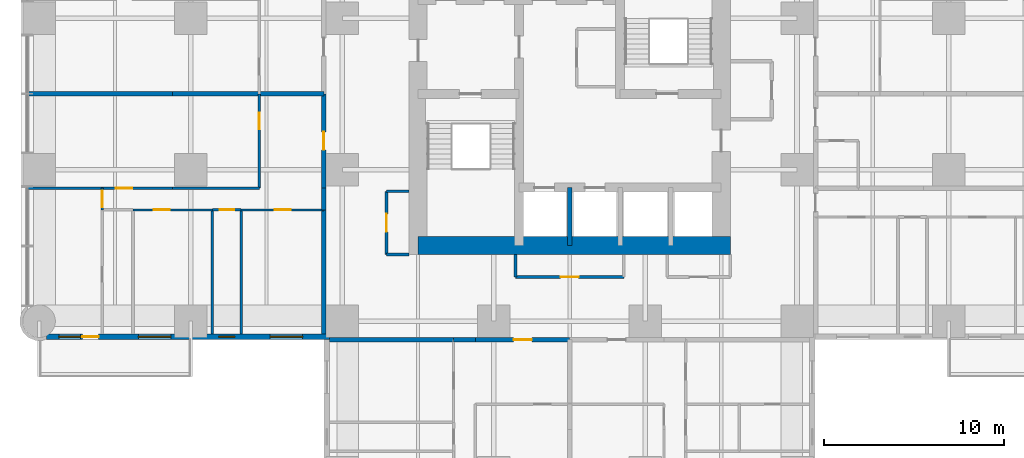
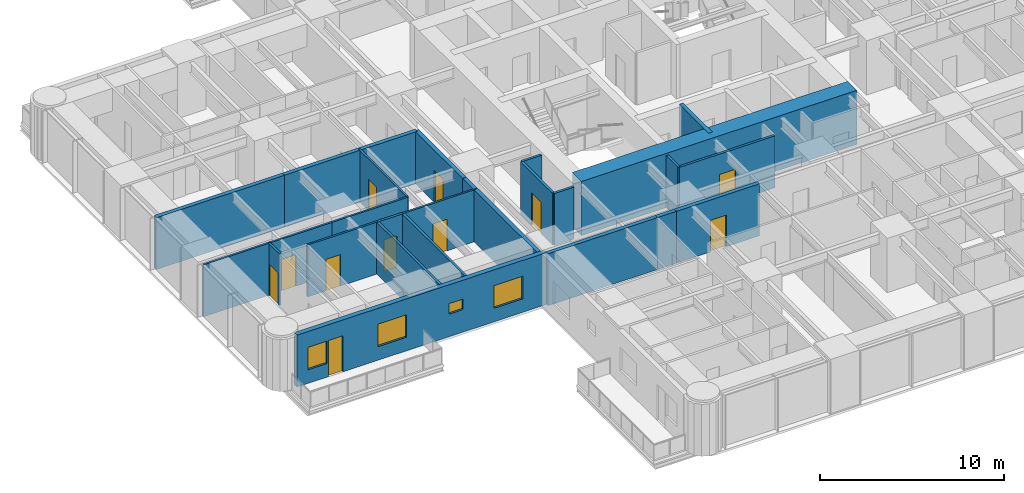
# One storey, part 8 of 17: 27 walls, 11 doors, 4 windows, 15 openings.
"""IFC4 building model written with IfcOpenShell, lengths in metres."""

from ifc_helpers import new_model, si_unit, direction, frame, frame_2d, origin, place, context, subcontext, project, spatial, rectangle, extrude, material, layer, layer_set, type_object, element, fill, save


model = new_model("IFC4")

# Units and contexts
model_context = context("Model", 3, precision=1e-05, world=origin(), true_north=direction((0.0, 1.0)))
body_context = subcontext(model_context, "Body", "Model", "MODEL_VIEW")
ifc_project = project(units=[si_unit("LENGTHUNIT", "METRE"), si_unit("AREAUNIT", "SQUARE_METRE"), si_unit("VOLUMEUNIT", "CUBIC_METRE"), si_unit("PLANEANGLEUNIT", "RADIAN"), si_unit("MASSUNIT", "GRAM", prefix="KILO")], contexts=[model_context])

# Site, building, storey
site_placement = place(None, origin())
site = spatial("IfcSite", under=ifc_project, at=site_placement, CompositionType="ELEMENT")
building_placement = place(site_placement, origin())
building = spatial("IfcBuilding", under=site, at=building_placement, Name="Torre Alcanfor", CompositionType="ELEMENT")
storey_placement = place(building_placement, frame((0.0, 0.0, 56.10009765625)))
storey = spatial("IfcBuildingStorey", under=building, at=storey_placement, Name="L13", CompositionType="ELEMENT", Elevation=56.10009765625)

# Wall, opening, door
ifc_material_1 = material(Name="Concrete block masonry, hollow blocks NMX-C-404 9 MPa", Category="masonry")
ifc_layer_1 = layer(ifc_material_1, 0.25)
ifc_layer_set_1 = layer_set([ifc_layer_1], Name="Apartment entrance wall 250 EI 60")
wall_type_1 = type_object("IfcWallType", Name="Apartment entrance wall 250 EI 60", PredefinedType="PARTITIONING", material=ifc_layer_set_1)
wall_1_placement = place(storey_placement, frame((29.39990234375, 15.77490234375, 0.0), z_axis=(0.0, 0.0, 1.0), x_axis=(-1.0, 0.0, 0.0)))
wall_1 = element("IfcWall", 1, at=wall_1_placement, inside=storey, type_object=wall_type_1, Name="Partition L13-CORR / L13-S2-ZAG", PredefinedType="PARTITIONING", context=body_context, shape_type="SweptSolid", body=[
    extrude(rectangle(XDim=5.22900390625, YDim=0.25, at=frame_2d((2.614501953125, 0.0))), origin(), (0.0, 0.0, 1.0), 3.449951171875),
])
opening_1_placement = place(wall_1_placement, frame((2.10009765625, 0.0, 0.0)))
opening_1 = element("IfcOpeningElement", 2, at=opening_1_placement, cuts=wall_1, Name="Opening D-A1", PredefinedType="OPENING", context=body_context, shape_type="SweptSolid", body=[
    extrude(rectangle(XDim=1.0, YDim=2.10009765625, at=frame_2d((0.5, 1.050048828125))), frame((0.0, 0.135009765625, 0.0), z_axis=(0.0, -1.0, 0.0), x_axis=(1.0, 0.0, 0.0)), (0.0, 0.0, 1.0), 0.27001953125),
])
ifc_material_2 = material(Name="Galvanised steel sheet ASTM A653", Category="steel")
door_type_1 = type_object("IfcDoorType", Name="Apartment entrance door FD60 1000x2100", OperationType="SINGLE_SWING_LEFT", PredefinedType="DOOR", material=ifc_material_2)
door_1_placement = place(opening_1_placement, origin())
door_1 = element("IfcDoor", 3, at=door_1_placement, inside=storey, type_object=door_type_1, Name="Apartment entrance L13-S2", OperationType="SINGLE_SWING_LEFT", OverallHeight=2.10009765625, OverallWidth=1.0, PredefinedType="DOOR", context=body_context, shape_type="SweptSolid", body=[
    extrude(rectangle(XDim=1.0, YDim=2.10009765625, at=frame_2d((0.5, 1.050048828125))), frame((0.0, 0.02490234375, 0.0), z_axis=(0.0, -1.0, 0.0), x_axis=(1.0, 0.0, 0.0)), (0.0, 0.0, 1.0), 0.050048828125),
])
fill(opening_1, door_1)

# Walls
wall_2_placement = place(storey_placement, frame((24.1708984375, 15.77490234375, 0.0), z_axis=(0.0, 0.0, 1.0), x_axis=(-1.0, 0.0, 0.0)))
element("IfcWall", 4, at=wall_2_placement, inside=storey, type_object=wall_type_1, Name="Partition L13-CORR / L13-S2-HALL", PredefinedType="PARTITIONING", context=body_context, shape_type="SweptSolid", body=[
    extrude(rectangle(XDim=1.199951171875, YDim=0.25, at=frame_2d((0.60009765625, 0.0))), origin(), (0.0, 0.0, 1.0), 3.449951171875),
])
wall_3_placement = place(storey_placement, frame((22.970947265625, 15.77490234375, 0.0), z_axis=(0.0, 0.0, 1.0), x_axis=(-1.0, 0.0, 0.0)))
element("IfcWall", 5, at=wall_3_placement, inside=storey, type_object=wall_type_1, Name="Partition L13-CORR / L13-S2-BED3", PredefinedType="PARTITIONING", context=body_context, shape_type="SweptSolid", body=[
    extrude(rectangle(XDim=6.870849609375, YDim=0.25, at=frame_2d((3.435546875, 0.0))), origin(), (0.0, 0.0, 1.0), 3.449951171875),
])

# Wall, opening, door
wall_4_placement = place(storey_placement, frame((15.77490234375, 24.1708984375, 0.0), z_axis=(0.0, 0.0, 1.0), x_axis=(0.0, 1.0, 0.0)))
wall_4 = element("IfcWall", 6, at=wall_4_placement, inside=storey, type_object=wall_type_1, Name="Partition L13-CORR / L13-W1-ZAG", PredefinedType="PARTITIONING", context=body_context, shape_type="SweptSolid", body=[
    extrude(rectangle(XDim=5.22900390625, YDim=0.25, at=frame_2d((2.614501953125, 0.0))), origin(), (0.0, 0.0, 1.0), 3.449951171875),
])
opening_2_placement = place(wall_4_placement, frame((2.12890625, 0.0, 0.0)))
opening_2 = element("IfcOpeningElement", 7, at=opening_2_placement, cuts=wall_4, Name="Opening D-A1", PredefinedType="OPENING", context=body_context, shape_type="SweptSolid", body=[
    extrude(rectangle(XDim=1.0, YDim=2.10009765625, at=frame_2d((0.5, 1.050048828125))), frame((0.0, 0.135009765625, 0.0), z_axis=(0.0, -1.0, 0.0), x_axis=(1.0, 0.0, 0.0)), (0.0, 0.0, 1.0), 0.27001953125),
])
door_2_placement = place(opening_2_placement, origin())
door_2 = element("IfcDoor", 8, at=door_2_placement, inside=storey, type_object=door_type_1, Name="Apartment entrance L13-W1", OperationType="SINGLE_SWING_RIGHT", OverallHeight=2.10009765625, OverallWidth=1.0, PredefinedType="DOOR", context=body_context, shape_type="SweptSolid", body=[
    extrude(rectangle(XDim=1.0, YDim=2.10009765625, at=frame_2d((0.5, 1.050048828125))), frame((0.0, 0.02490234375, 0.0), z_axis=(0.0, -1.0, 0.0), x_axis=(1.0, 0.0, 0.0)), (0.0, 0.0, 1.0), 0.050048828125),
])
fill(opening_2, door_2)

# Walls
wall_5_placement = place(storey_placement, frame((15.77490234375, 22.970947265625, 0.0), z_axis=(0.0, 0.0, 1.0), x_axis=(0.0, 1.0, 0.0)))
element("IfcWall", 9, at=wall_5_placement, inside=storey, type_object=wall_type_1, Name="Partition L13-CORR / L13-W1-HALL", PredefinedType="PARTITIONING", context=body_context, shape_type="SweptSolid", body=[
    extrude(rectangle(XDim=1.199951171875, YDim=0.25, at=frame_2d((0.60009765625, 0.0))), origin(), (0.0, 0.0, 1.0), 3.449951171875),
])
wall_6_placement = place(storey_placement, frame((15.77490234375, 16.10009765625, 0.0), z_axis=(0.0, 0.0, 1.0), x_axis=(0.0, 1.0, 0.0)))
element("IfcWall", 10, at=wall_6_placement, inside=storey, type_object=wall_type_1, Name="Partition L13-CORR / L13-W1-BED3", PredefinedType="PARTITIONING", context=body_context, shape_type="SweptSolid", body=[
    extrude(rectangle(XDim=6.870849609375, YDim=0.25, at=frame_2d((3.435546875, 0.0))), origin(), (0.0, 0.0, 1.0), 3.449951171875),
])

# Wall, opening, door
ifc_material_3 = material(Name="Gypsum board on steel studs", Category="steel")
ifc_layer_2 = layer(ifc_material_3, 0.1201171875)
ifc_layer_set_2 = layer_set([ifc_layer_2], Name="Apartment partition 120")
wall_type_2 = type_object("IfcWallType", Name="Apartment partition 120", PredefinedType="PARTITIONING", material=ifc_layer_set_2)
wall_7_placement = place(storey_placement, frame((12.199951171875, 29.39990234375, 0.0), z_axis=(0.0, 0.0, 1.0), x_axis=(0.0, -1.0, 0.0)))
wall_7 = element("IfcWall", 11, at=wall_7_placement, inside=storey, type_object=wall_type_2, Name="Partition L13-W1-ZAG / L13-W1-KITCHEN", PredefinedType="PARTITIONING", context=body_context, shape_type="SweptSolid", body=[
    extrude(rectangle(XDim=5.22900390625, YDim=0.1201171875, at=frame_2d((2.614501953125, 0.0))), origin(), (0.0, 0.0, 1.0), 3.449951171875),
])
opening_3_placement = place(wall_7_placement, frame((1.050048828125, 0.0, 0.0)))
opening_3 = element("IfcOpeningElement", 12, at=opening_3_placement, cuts=wall_7, Name="Opening D-R1", PredefinedType="OPENING", context=body_context, shape_type="SweptSolid", body=[
    extrude(rectangle(XDim=0.89990234375, YDim=2.10009765625, at=frame_2d((0.449951171875, 1.050048828125))), frame((0.0, 0.070068359375, 0.0), z_axis=(0.0, -1.0, 0.0), x_axis=(1.0, 0.0, 0.0)), (0.0, 0.0, 1.0), 0.14013671875),
])
ifc_material_4 = material(Name="Timber", Category="wood")
door_type_2 = type_object("IfcDoorType", Name="Internal door 900x2100", OperationType="SINGLE_SWING_LEFT", PredefinedType="DOOR", material=ifc_material_4)
door_3_placement = place(opening_3_placement, frame((0.89990234375, 0.0, 0.0), z_axis=(0.0, 0.0, 1.0), x_axis=(-1.0, 0.0, 0.0)))
door_3 = element("IfcDoor", 13, at=door_3_placement, inside=storey, type_object=door_type_2, Name="Door L13-W1 kitchen", OperationType="SINGLE_SWING_RIGHT", OverallHeight=2.10009765625, OverallWidth=0.89990234375, PredefinedType="DOOR", context=body_context, shape_type="SweptSolid", body=[
    extrude(rectangle(XDim=0.89990234375, YDim=2.10009765625, at=frame_2d((0.449951171875, 1.050048828125))), frame((0.0, 0.025146484375, 0.0), z_axis=(0.0, -1.0, 0.0), x_axis=(1.0, 0.0, 0.0)), (0.0, 0.0, 1.0), 0.050048828125),
])
fill(opening_3, door_3)

# Wall
wall_8_placement = place(storey_placement, frame((7.39990234375, 24.1708984375, 0.0), z_axis=(0.0, 0.0, 1.0), x_axis=(1.0, 0.0, 0.0)))
element("IfcWall", 14, at=wall_8_placement, inside=storey, type_object=wall_type_2, Name="Partition L13-W1-KITCHEN / L13-W1-HALL", PredefinedType="PARTITIONING", context=body_context, shape_type="SweptSolid", body=[
    extrude(rectangle(XDim=4.800048828125, YDim=0.1201171875, at=frame_2d((2.39990234375, 0.0))), origin(), (0.0, 0.0, 1.0), 3.449951171875),
])

# Wall, opening, door
wall_9_placement = place(storey_placement, frame((3.5, 24.1708984375, 0.0), z_axis=(0.0, 0.0, 1.0), x_axis=(1.0, 0.0, 0.0)))
wall_9 = element("IfcWall", 15, at=wall_9_placement, inside=storey, type_object=wall_type_2, Name="Partition L13-W1-LIVING / L13-W1-HALL", PredefinedType="PARTITIONING", context=body_context, shape_type="SweptSolid", body=[
    extrude(rectangle(XDim=3.89990234375, YDim=0.1201171875, at=frame_2d((1.949951171875, 0.0))), origin(), (0.0, 0.0, 1.0), 3.449951171875),
])
opening_4_placement = place(wall_9_placement, frame((0.75, 0.0, 0.0)))
opening_4 = element("IfcOpeningElement", 16, at=opening_4_placement, cuts=wall_9, Name="Opening D-R1", PredefinedType="OPENING", context=body_context, shape_type="SweptSolid", body=[
    extrude(rectangle(XDim=0.89990234375, YDim=2.10009765625, at=frame_2d((0.449951171875, 1.050048828125))), frame((0.0, 0.070068359375, 0.0), z_axis=(0.0, -1.0, 0.0), x_axis=(1.0, 0.0, 0.0)), (0.0, 0.0, 1.0), 0.14013671875),
])
door_4_placement = place(opening_4_placement, origin())
door_4 = element("IfcDoor", 17, at=door_4_placement, inside=storey, type_object=door_type_2, Name="Door L13-W1 living", OperationType="SINGLE_SWING_RIGHT", OverallHeight=2.10009765625, OverallWidth=0.89990234375, PredefinedType="DOOR", context=body_context, shape_type="SweptSolid", body=[
    extrude(rectangle(XDim=0.89990234375, YDim=2.10009765625, at=frame_2d((0.449951171875, 1.050048828125))), frame((0.0, 0.02490234375, 0.0), z_axis=(0.0, -1.0, 0.0), x_axis=(1.0, 0.0, 0.0)), (0.0, 0.0, 1.0), 0.050048828125),
])
fill(opening_4, door_4)

# Wall
wall_10_placement = place(storey_placement, frame((-0.64990234375, 24.1708984375, 0.0), z_axis=(0.0, 0.0, 1.0), x_axis=(1.0, 0.0, 0.0)))
element("IfcWall", 18, at=wall_10_placement, inside=storey, type_object=wall_type_2, Name="Partition L13-W1-LIVING / L13-W1-MASTER", PredefinedType="PARTITIONING", context=body_context, shape_type="SweptSolid", body=[
    extrude(rectangle(XDim=4.14990234375, YDim=0.1201171875, at=frame_2d((2.074951171875, 0.0))), origin(), (0.0, 0.0, 1.0), 3.449951171875),
])

# Wall, opening, door
wall_11_placement = place(storey_placement, frame((11.199951171875, 22.970947265625, 0.0), z_axis=(0.0, 0.0, 1.0), x_axis=(1.0, 0.0, 0.0)))
wall_11 = element("IfcWall", 19, at=wall_11_placement, inside=storey, type_object=wall_type_2, Name="Partition L13-W1-HALL / L13-W1-BED3", PredefinedType="PARTITIONING", context=body_context, shape_type="SweptSolid", body=[
    extrude(rectangle(XDim=4.574951171875, YDim=0.1201171875, at=frame_2d((2.28759765625, 0.0))), origin(), (0.0, 0.0, 1.0), 3.449951171875),
])
opening_5_placement = place(wall_11_placement, frame((1.85009765625, 0.0, 0.0)))
opening_5 = element("IfcOpeningElement", 20, at=opening_5_placement, cuts=wall_11, Name="Opening D-R1", PredefinedType="OPENING", context=body_context, shape_type="SweptSolid", body=[
    extrude(rectangle(XDim=0.89990234375, YDim=2.10009765625, at=frame_2d((0.449951171875, 1.050048828125))), frame((0.0, 0.070068359375, 0.0), z_axis=(0.0, -1.0, 0.0), x_axis=(1.0, 0.0, 0.0)), (0.0, 0.0, 1.0), 0.14013671875),
])
door_5_placement = place(opening_5_placement, frame((0.89990234375, 0.0, 0.0), z_axis=(0.0, 0.0, 1.0), x_axis=(-1.0, 0.0, 0.0)))
door_5 = element("IfcDoor", 21, at=door_5_placement, inside=storey, type_object=door_type_2, Name="Door L13-W1 bed3", OperationType="SINGLE_SWING_LEFT", OverallHeight=2.10009765625, OverallWidth=0.89990234375, PredefinedType="DOOR", context=body_context, shape_type="SweptSolid", body=[
    extrude(rectangle(XDim=0.89990234375, YDim=2.10009765625, at=frame_2d((0.449951171875, 1.050048828125))), frame((0.0, 0.025146484375, 0.0), z_axis=(0.0, -1.0, 0.0), x_axis=(1.0, 0.0, 0.0)), (0.0, 0.0, 1.0), 0.050048828125),
])
fill(opening_5, door_5)

wall_12_placement = place(storey_placement, frame((5.199951171875, 22.970947265625, 0.0), z_axis=(0.0, 0.0, 1.0), x_axis=(1.0, 0.0, 0.0)))
wall_12 = element("IfcWall", 22, at=wall_12_placement, inside=storey, type_object=wall_type_2, Name="Partition L13-W1-HALL / L13-W1-BED2", PredefinedType="PARTITIONING", context=body_context, shape_type="SweptSolid", body=[
    extrude(rectangle(XDim=4.400146484375, YDim=0.1201171875, at=frame_2d((2.2001953125, 0.0))), origin(), (0.0, 0.0, 1.0), 3.449951171875),
])
opening_6_placement = place(wall_12_placement, frame((1.14990234375, 0.0, 0.0)))
opening_6 = element("IfcOpeningElement", 23, at=opening_6_placement, cuts=wall_12, Name="Opening D-R1", PredefinedType="OPENING", context=body_context, shape_type="SweptSolid", body=[
    extrude(rectangle(XDim=0.89990234375, YDim=2.10009765625, at=frame_2d((0.449951171875, 1.050048828125))), frame((0.0, 0.070068359375, 0.0), z_axis=(0.0, -1.0, 0.0), x_axis=(1.0, 0.0, 0.0)), (0.0, 0.0, 1.0), 0.14013671875),
])
door_6_placement = place(opening_6_placement, frame((0.89990234375, 0.0, 0.0), z_axis=(0.0, 0.0, 1.0), x_axis=(-1.0, 0.0, 0.0)))
door_6 = element("IfcDoor", 24, at=door_6_placement, inside=storey, type_object=door_type_2, Name="Door L13-W1 bed2", OperationType="SINGLE_SWING_RIGHT", OverallHeight=2.10009765625, OverallWidth=0.89990234375, PredefinedType="DOOR", context=body_context, shape_type="SweptSolid", body=[
    extrude(rectangle(XDim=0.89990234375, YDim=2.10009765625, at=frame_2d((0.449951171875, 1.050048828125))), frame((0.0, 0.025146484375, 0.0), z_axis=(0.0, -1.0, 0.0), x_axis=(1.0, 0.0, 0.0)), (0.0, 0.0, 1.0), 0.050048828125),
])
fill(opening_6, door_6)

wall_13_placement = place(storey_placement, frame((3.5, 24.1708984375, 0.0), z_axis=(0.0, 0.0, 1.0), x_axis=(0.0, -1.0, 0.0)))
wall_13 = element("IfcWall", 25, at=wall_13_placement, inside=storey, type_object=wall_type_2, Name="Partition L13-W1-HALL / L13-W1-MASTER", PredefinedType="PARTITIONING", context=body_context, shape_type="SweptSolid", body=[
    extrude(rectangle(XDim=1.199951171875, YDim=0.1201171875, at=frame_2d((0.60009765625, 0.0))), origin(), (0.0, 0.0, 1.0), 3.449951171875),
])
opening_7_placement = place(wall_13_placement, frame((0.15087890625, 0.0, 0.0)))
opening_7 = element("IfcOpeningElement", 26, at=opening_7_placement, cuts=wall_13, Name="Opening D-R1", PredefinedType="OPENING", context=body_context, shape_type="SweptSolid", body=[
    extrude(rectangle(XDim=0.89990234375, YDim=2.10009765625, at=frame_2d((0.449951171875, 1.050048828125))), frame((0.0, 0.070068359375, 0.0), z_axis=(0.0, -1.0, 0.0), x_axis=(1.0, 0.0, 0.0)), (0.0, 0.0, 1.0), 0.14013671875),
])
door_7_placement = place(opening_7_placement, frame((0.89990234375, 0.0, 0.0), z_axis=(0.0, 0.0, 1.0), x_axis=(-1.0, 0.0, 0.0)))
door_7 = element("IfcDoor", 27, at=door_7_placement, inside=storey, type_object=door_type_2, Name="Door L13-W1 master", OperationType="SINGLE_SWING_RIGHT", OverallHeight=2.10009765625, OverallWidth=0.89990234375, PredefinedType="DOOR", context=body_context, shape_type="SweptSolid", body=[
    extrude(rectangle(XDim=0.89990234375, YDim=2.10009765625, at=frame_2d((0.449951171875, 1.050048828125))), frame((0.0, 0.025146484375, 0.0), z_axis=(0.0, -1.0, 0.0), x_axis=(1.0, 0.0, 0.0)), (0.0, 0.0, 1.0), 0.050048828125),
])
fill(opening_7, door_7)

# Walls
ifc_material_5 = material(Name="Concrete f'c 70 MPa", Category="concrete")
ifc_layer_3 = layer(ifc_material_5, 0.25)
ifc_layer_set_3 = layer_set([ifc_layer_3], Name="Core shaft wall 250 f'c70")
wall_type_3 = type_object("IfcWallType", Name="Core shaft wall 250 f'c70", PredefinedType="SHEAR", material=ifc_layer_set_3)
wall_14_placement = place(storey_placement, frame((29.39990234375, 21.0, 0.0), z_axis=(0.0, 0.0, 1.0), x_axis=(0.0, 1.0, 0.0)))
element("IfcWall", 28, at=wall_14_placement, inside=storey, type_object=wall_type_3, Name="Core wall X294S L13", PredefinedType="SHEAR", context=body_context, shape_type="SweptSolid", body=[
    extrude(rectangle(XDim=3.199951171875, YDim=0.25, at=frame_2d((1.60009765625, 0.0))), origin(), (0.0, 0.0, 1.0), 3.599853515625),
])
ifc_material_6 = material(Name="Concrete f'c 70 MPa", Category="concrete")
ifc_layer_4 = layer(ifc_material_6, 1.0)
ifc_layer_set_4 = layer_set([ifc_layer_4], Name="Core wall 1000 f'c70")
wall_type_4 = type_object("IfcWallType", Name="Core wall 1000 f'c70", PredefinedType="SHEAR", material=ifc_layer_set_4)
wall_15_placement = place(storey_placement, frame((21.0, 21.0, 0.0), z_axis=(0.0, 0.0, 1.0), x_axis=(1.0, 0.0, 0.0)))
element("IfcWall", 29, at=wall_15_placement, inside=storey, type_object=wall_type_4, Name="Core wall OUT-S L13", PredefinedType="SHEAR", context=body_context, shape_type="SweptSolid", body=[
    extrude(rectangle(XDim=17.300048828125, YDim=1.0, at=frame_2d((8.64990234375, 0.0))), origin(), (0.0, 0.0, 1.0), 3.599853515625),
])

# Wall, openings, door, windows
ifc_material_7 = material(Name="Limestone cladding", Category="masonry")
ifc_layer_5 = layer(ifc_material_7, 0.0400390625, Name="Facing")
ifc_material_8 = material(Name="Ventilated air cavity")
ifc_layer_6 = layer(ifc_material_8, 0.02001953125, ventilated=True, Name="Ventilated joint")
ifc_material_9 = material(Name="Mineral wool insulation", Category="insulation")
ifc_layer_7 = layer(ifc_material_9, 0.10009765625, Name="Insulation")
ifc_material_10 = material(Name="Concrete f'c 35 MPa", Category="concrete")
ifc_layer_8 = layer(ifc_material_10, 0.139892578125, Name="Backing")
ifc_layer_set_5 = layer_set([ifc_layer_5, ifc_layer_6, ifc_layer_7, ifc_layer_8], Name="External wall stone-clad 300")
wall_type_5 = type_object("IfcWallType", Name="External wall stone-clad 300", PredefinedType="SOLIDWALL", material=ifc_layer_set_5)
wall_16_placement = place(storey_placement, frame((0.39990234375, 15.949951171875, 0.0), z_axis=(0.0, 0.0, 1.0), x_axis=(1.0, 0.0, 0.0)))
wall_16 = element("IfcWall", 30, at=wall_16_placement, inside=storey, type_object=wall_type_5, Name="External wall L13 3", PredefinedType="SOLIDWALL", context=body_context, shape_type="SweptSolid", body=[
    extrude(rectangle(XDim=15.7001953125, YDim=0.300048828125, at=frame_2d((7.85009765625, 0.0))), origin(), (0.0, 0.0, 1.0), 3.449951171875),
])
opening_8_placement = place(wall_16_placement, frame((12.39990234375, 0.0, 0.89990234375)))
opening_8 = element("IfcOpeningElement", 31, at=opening_8_placement, cuts=wall_16, Name="Opening W2", PredefinedType="OPENING", context=body_context, shape_type="SweptSolid", body=[
    extrude(rectangle(XDim=1.800048828125, YDim=1.5, at=frame_2d((0.89990234375, 0.75))), frame((0.0, 0.159912109375, 0.0), z_axis=(0.0, -1.0, 0.0), x_axis=(1.0, 0.0, 0.0)), (0.0, 0.0, 1.0), 0.320068359375),
])
opening_9_placement = place(wall_16_placement, frame((9.550048828125, 0.0, 1.5)))
opening_9 = element("IfcOpeningElement", 32, at=opening_9_placement, cuts=wall_16, Name="Opening W3", PredefinedType="OPENING", context=body_context, shape_type="SweptSolid", body=[
    extrude(rectangle(XDim=0.89990234375, YDim=0.699951171875, at=frame_2d((0.449951171875, 0.35009765625))), frame((0.0, 0.159912109375, 0.0), z_axis=(0.0, -1.0, 0.0), x_axis=(1.0, 0.0, 0.0)), (0.0, 0.0, 1.0), 0.320068359375),
])
opening_10_placement = place(wall_16_placement, frame((5.10009765625, 0.0, 0.89990234375)))
opening_10 = element("IfcOpeningElement", 33, at=opening_10_placement, cuts=wall_16, Name="Opening W2", PredefinedType="OPENING", context=body_context, shape_type="SweptSolid", body=[
    extrude(rectangle(XDim=1.800048828125, YDim=1.5, at=frame_2d((0.89990234375, 0.75))), frame((0.0, 0.159912109375, 0.0), z_axis=(0.0, -1.0, 0.0), x_axis=(1.0, 0.0, 0.0)), (0.0, 0.0, 1.0), 0.320068359375),
])
opening_11_placement = place(wall_16_placement, frame((2.0, 0.0, 0.0)))
opening_11 = element("IfcOpeningElement", 34, at=opening_11_placement, cuts=wall_16, Name="Opening D-B1", PredefinedType="OPENING", context=body_context, shape_type="SweptSolid", body=[
    extrude(rectangle(XDim=0.89990234375, YDim=2.39990234375, at=frame_2d((0.449951171875, 1.199951171875))), frame((0.0, 0.159912109375, 0.0), z_axis=(0.0, -1.0, 0.0), x_axis=(1.0, 0.0, 0.0)), (0.0, 0.0, 1.0), 0.320068359375),
])
opening_12_placement = place(wall_16_placement, frame((0.699951171875, 0.0, 0.89990234375)))
opening_12 = element("IfcOpeningElement", 35, at=opening_12_placement, cuts=wall_16, Name="Opening W4", PredefinedType="OPENING", context=body_context, shape_type="SweptSolid", body=[
    extrude(rectangle(XDim=1.199951171875, YDim=1.5, at=frame_2d((0.60009765625, 0.75))), frame((0.0, 0.159912109375, 0.0), z_axis=(0.0, -1.0, 0.0), x_axis=(1.0, 0.0, 0.0)), (0.0, 0.0, 1.0), 0.320068359375),
])
ifc_material_11 = material(Name="Aluminium and glass", Category="aluminium")
door_type_3 = type_object("IfcDoorType", Name="Balcony door glazed 900x2400", OperationType="SINGLE_SWING_LEFT", PredefinedType="DOOR", material=ifc_material_11)
door_8_placement = place(opening_11_placement, origin())
door_8 = element("IfcDoor", 36, at=door_8_placement, inside=storey, type_object=door_type_3, Name="Balcony door L13-W1", OperationType="SINGLE_SWING_RIGHT", OverallHeight=2.39990234375, OverallWidth=0.89990234375, PredefinedType="DOOR", context=body_context, shape_type="SweptSolid", body=[
    extrude(rectangle(XDim=0.89990234375, YDim=2.39990234375, at=frame_2d((0.449951171875, 1.199951171875))), frame((0.0, 0.02490234375, 0.0), z_axis=(0.0, -1.0, 0.0), x_axis=(1.0, 0.0, 0.0)), (0.0, 0.0, 1.0), 0.050048828125),
])
fill(opening_11, door_8)
ifc_material_12 = material(Name="Aluminium frame with clear double glazing", Category="aluminium")
window_type_1 = type_object("IfcWindowType", Name="Window bathroom 900x700", PartitioningType="SINGLE_PANEL", PredefinedType="WINDOW", material=ifc_material_12)
window_1_placement = place(opening_9_placement, origin())
window_1 = element("IfcWindow", 37, at=window_1_placement, inside=storey, type_object=window_type_1, Name="Window W3 L13-W1", OverallHeight=0.699951171875, OverallWidth=0.89990234375, PartitioningType="SINGLE_PANEL", PredefinedType="WINDOW", context=body_context, shape_type="SweptSolid", body=[
    extrude(rectangle(XDim=0.89990234375, YDim=0.699951171875, at=frame_2d((0.449951171875, 0.35009765625))), frame((0.0, 0.030029296875, 0.0), z_axis=(0.0, -1.0, 0.0), x_axis=(1.0, 0.0, 0.0)), (0.0, 0.0, 1.0), 0.06005859375),
])
fill(opening_9, window_1)
ifc_material_13 = material(Name="Aluminium frame with clear double glazing", Category="aluminium")
window_type_2 = type_object("IfcWindowType", Name="Window bedroom 1200x1500", PartitioningType="SINGLE_PANEL", PredefinedType="WINDOW", material=ifc_material_13)
window_2_placement = place(opening_12_placement, origin())
window_2 = element("IfcWindow", 38, at=window_2_placement, inside=storey, type_object=window_type_2, Name="Window W4 L13-W1", OverallHeight=1.5, OverallWidth=1.199951171875, PartitioningType="SINGLE_PANEL", PredefinedType="WINDOW", context=body_context, shape_type="SweptSolid", body=[
    extrude(rectangle(XDim=1.199951171875, YDim=1.5, at=frame_2d((0.60009765625, 0.75))), frame((0.0, 0.030029296875, 0.0), z_axis=(0.0, -1.0, 0.0), x_axis=(1.0, 0.0, 0.0)), (0.0, 0.0, 1.0), 0.06005859375),
])
fill(opening_12, window_2)
ifc_material_14 = material(Name="Aluminium frame with clear double glazing", Category="aluminium")
window_type_3 = type_object("IfcWindowType", Name="Window bedroom 1800x1500", PartitioningType="SINGLE_PANEL", PredefinedType="WINDOW", material=ifc_material_14)
window_3_placement = place(opening_8_placement, origin())
window_3 = element("IfcWindow", 39, at=window_3_placement, inside=storey, type_object=window_type_3, Name="Window W2 L13-W1", OverallHeight=1.5, OverallWidth=1.800048828125, PartitioningType="SINGLE_PANEL", PredefinedType="WINDOW", context=body_context, shape_type="SweptSolid", body=[
    extrude(rectangle(XDim=1.800048828125, YDim=1.5, at=frame_2d((0.89990234375, 0.75))), frame((0.0, 0.030029296875, 0.0), z_axis=(0.0, -1.0, 0.0), x_axis=(1.0, 0.0, 0.0)), (0.0, 0.0, 1.0), 0.06005859375),
])
fill(opening_8, window_3)
window_4_placement = place(opening_10_placement, origin())
window_4 = element("IfcWindow", 40, at=window_4_placement, inside=storey, type_object=window_type_3, Name="Window W2 L13-W1", OverallHeight=1.5, OverallWidth=1.800048828125, PartitioningType="SINGLE_PANEL", PredefinedType="WINDOW", context=body_context, shape_type="SweptSolid", body=[
    extrude(rectangle(XDim=1.800048828125, YDim=1.5, at=frame_2d((0.89990234375, 0.75))), frame((0.0, 0.030029296875, 0.0), z_axis=(0.0, -1.0, 0.0), x_axis=(1.0, 0.0, 0.0)), (0.0, 0.0, 1.0), 0.06005859375),
])
fill(opening_10, window_4)

# Walls
ifc_material_15 = material(Name="Concrete block masonry, hollow blocks NMX-C-404 9 MPa", Category="masonry")
ifc_layer_9 = layer(ifc_material_15, 0.25)
ifc_layer_set_6 = layer_set([ifc_layer_9], Name="Party wall 250 EI 60")
wall_type_6 = type_object("IfcWallType", Name="Party wall 250 EI 60", PredefinedType="PARTITIONING", material=ifc_layer_set_6)
wall_17_placement = place(storey_placement, frame((15.77490234375, 29.39990234375, 0.0), z_axis=(0.0, 0.0, 1.0), x_axis=(-1.0, 0.0, 0.0)))
element("IfcWall", 41, at=wall_17_placement, inside=storey, type_object=wall_type_6, Name="Partition L13-W1-ZAG / L13-W2-ZAG", PredefinedType="PARTITIONING", context=body_context, shape_type="SweptSolid", body=[
    extrude(rectangle(XDim=3.574951171875, YDim=0.25, at=frame_2d((1.78759765625, 0.0))), origin(), (0.0, 0.0, 1.0), 3.449951171875),
])
wall_18_placement = place(storey_placement, frame((12.199951171875, 29.39990234375, 0.0), z_axis=(0.0, 0.0, 1.0), x_axis=(-1.0, 0.0, 0.0)))
element("IfcWall", 42, at=wall_18_placement, inside=storey, type_object=wall_type_6, Name="Partition L13-W1-KITCHEN / L13-W2-KITCHEN", PredefinedType="PARTITIONING", context=body_context, shape_type="SweptSolid", body=[
    extrude(rectangle(XDim=4.800048828125, YDim=0.25, at=frame_2d((2.39990234375, 0.0))), origin(), (0.0, 0.0, 1.0), 3.449951171875),
])
wall_19_placement = place(storey_placement, frame((7.39990234375, 29.39990234375, 0.0), z_axis=(0.0, 0.0, 1.0), x_axis=(-1.0, 0.0, 0.0)))
element("IfcWall", 43, at=wall_19_placement, inside=storey, type_object=wall_type_6, Name="Partition L13-W1-LIVING / L13-W2-LIVING", PredefinedType="PARTITIONING", context=body_context, shape_type="SweptSolid", body=[
    extrude(rectangle(XDim=8.0498046875, YDim=0.25, at=frame_2d((4.02490234375, 0.0))), origin(), (0.0, 0.0, 1.0), 3.449951171875),
])
ifc_material_16 = material(Name="Concrete block masonry, hollow blocks NMX-C-404 9 MPa", Category="masonry")
ifc_layer_10 = layer(ifc_material_16, 0.14990234375)
ifc_layer_set_7 = layer_set([ifc_layer_10], Name="Residents' room partition 150")
wall_type_7 = type_object("IfcWallType", Name="Residents' room partition 150", PredefinedType="PARTITIONING", material=ifc_layer_set_7)
wall_20_placement = place(storey_placement, frame((26.39990234375, 20.5, 0.0), z_axis=(0.0, 0.0, 1.0), x_axis=(0.0, -1.0, 0.0)))
element("IfcWall", 44, at=wall_20_placement, inside=storey, type_object=wall_type_7, Name="Partition L13-CORR / L13-G04", PredefinedType="PARTITIONING", context=body_context, shape_type="SweptSolid", body=[
    extrude(rectangle(XDim=1.25, YDim=0.14990234375, at=frame_2d((0.625, 0.0))), origin(), (0.0, 0.0, 1.0), 3.449951171875),
])

# Wall, opening, door
wall_21_placement = place(storey_placement, frame((26.39990234375, 19.25, 0.0), z_axis=(0.0, 0.0, 1.0), x_axis=(1.0, 0.0, 0.0)))
wall_21 = element("IfcWall", 45, at=wall_21_placement, inside=storey, type_object=wall_type_7, Name="Partition L13-CORR / L13-G04", PredefinedType="PARTITIONING", context=body_context, shape_type="SweptSolid", body=[
    extrude(rectangle(XDim=6.0, YDim=0.14990234375, at=frame_2d((3.0, 0.0))), origin(), (0.0, 0.0, 1.0), 3.449951171875),
])
opening_13_placement = place(wall_21_placement, frame((2.5, 0.0, 0.0)))
opening_13 = element("IfcOpeningElement", 46, at=opening_13_placement, cuts=wall_21, Name="Opening D-M1", PredefinedType="OPENING", context=body_context, shape_type="SweptSolid", body=[
    extrude(rectangle(XDim=1.0, YDim=2.10009765625, at=frame_2d((0.5, 1.050048828125))), frame((0.0, 0.0849609375, 0.0), z_axis=(0.0, -1.0, 0.0), x_axis=(1.0, 0.0, 0.0)), (0.0, 0.0, 1.0), 0.169921875),
])
ifc_material_17 = material(Name="Timber", Category="wood")
door_type_4 = type_object("IfcDoorType", Name="Residents' room door 1000x2100", OperationType="SINGLE_SWING_LEFT", PredefinedType="DOOR", material=ifc_material_17)
door_9_placement = place(opening_13_placement, origin())
door_9 = element("IfcDoor", 47, at=door_9_placement, inside=storey, type_object=door_type_4, Name="Door L13-G04 parcel room", OperationType="SINGLE_SWING_LEFT", OverallHeight=2.10009765625, OverallWidth=1.0, PredefinedType="DOOR", context=body_context, shape_type="SweptSolid", body=[
    extrude(rectangle(XDim=1.0, YDim=2.10009765625, at=frame_2d((0.5, 1.050048828125))), frame((0.0, 0.02490234375, 0.0), z_axis=(0.0, -1.0, 0.0), x_axis=(1.0, 0.0, 0.0)), (0.0, 0.0, 1.0), 0.050048828125),
])
fill(opening_13, door_9)

# Wall
wall_22_placement = place(storey_placement, frame((20.5, 24.0, 0.0), z_axis=(0.0, 0.0, 1.0), x_axis=(-1.0, 0.0, 0.0)))
element("IfcWall", 48, at=wall_22_placement, inside=storey, type_object=wall_type_7, Name="Partition L13-CORR / L13-G06", PredefinedType="PARTITIONING", context=body_context, shape_type="SweptSolid", body=[
    extrude(rectangle(XDim=1.25, YDim=0.14990234375, at=frame_2d((0.625, 0.0))), origin(), (0.0, 0.0, 1.0), 3.449951171875),
])

# Wall, opening, door
wall_23_placement = place(storey_placement, frame((19.25, 24.0, 0.0), z_axis=(0.0, 0.0, 1.0), x_axis=(0.0, -1.0, 0.0)))
wall_23 = element("IfcWall", 49, at=wall_23_placement, inside=storey, type_object=wall_type_7, Name="Partition L13-CORR / L13-G06", PredefinedType="PARTITIONING", context=body_context, shape_type="SweptSolid", body=[
    extrude(rectangle(XDim=3.5, YDim=0.14990234375, at=frame_2d((1.75, 0.0))), origin(), (0.0, 0.0, 1.0), 3.449951171875),
])
opening_14_placement = place(wall_23_placement, frame((1.25, 0.0, 0.0)))
opening_14 = element("IfcOpeningElement", 50, at=opening_14_placement, cuts=wall_23, Name="Opening D-M1", PredefinedType="OPENING", context=body_context, shape_type="SweptSolid", body=[
    extrude(rectangle(XDim=1.0, YDim=2.10009765625, at=frame_2d((0.5, 1.050048828125))), frame((0.0, 0.0849609375, 0.0), z_axis=(0.0, -1.0, 0.0), x_axis=(1.0, 0.0, 0.0)), (0.0, 0.0, 1.0), 0.169921875),
])
door_10_placement = place(opening_14_placement, origin())
door_10 = element("IfcDoor", 51, at=door_10_placement, inside=storey, type_object=door_type_4, Name="Door L13-G06 cleaners' store", OperationType="SINGLE_SWING_LEFT", OverallHeight=2.10009765625, OverallWidth=1.0, PredefinedType="DOOR", context=body_context, shape_type="SweptSolid", body=[
    extrude(rectangle(XDim=1.0, YDim=2.10009765625, at=frame_2d((0.5, 1.050048828125))), frame((0.0, 0.02490234375, 0.0), z_axis=(0.0, -1.0, 0.0), x_axis=(1.0, 0.0, 0.0)), (0.0, 0.0, 1.0), 0.050048828125),
])
fill(opening_14, door_10)

# Wall
wall_24_placement = place(storey_placement, frame((19.25, 20.5, 0.0), z_axis=(0.0, 0.0, 1.0), x_axis=(1.0, 0.0, 0.0)))
element("IfcWall", 52, at=wall_24_placement, inside=storey, type_object=wall_type_7, Name="Partition L13-CORR / L13-G06", PredefinedType="PARTITIONING", context=body_context, shape_type="SweptSolid", body=[
    extrude(rectangle(XDim=1.25, YDim=0.14990234375, at=frame_2d((0.625, 0.0))), origin(), (0.0, 0.0, 1.0), 3.449951171875),
])

# Wall, opening, door
ifc_material_18 = material(Name="Cement board on steel studs", Category="steel")
ifc_layer_11 = layer(ifc_material_18, 0.14990234375)
ifc_layer_set_8 = layer_set([ifc_layer_11], Name="Wet area partition 150")
wall_type_8 = type_object("IfcWallType", Name="Wet area partition 150", PredefinedType="PARTITIONING", material=ifc_layer_set_8)
wall_25_placement = place(storey_placement, frame((9.60009765625, 22.970947265625, 0.0), z_axis=(0.0, 0.0, 1.0), x_axis=(1.0, 0.0, 0.0)))
wall_25 = element("IfcWall", 53, at=wall_25_placement, inside=storey, type_object=wall_type_8, Name="Partition L13-W1-HALL / L13-W1-BATH1", PredefinedType="PARTITIONING", context=body_context, shape_type="SweptSolid", body=[
    extrude(rectangle(XDim=1.599853515625, YDim=0.14990234375, at=frame_2d((0.7998046875, 0.0))), origin(), (0.0, 0.0, 1.0), 3.449951171875),
])
opening_15_placement = place(wall_25_placement, frame((0.39990234375, 0.0, 0.0)))
opening_15 = element("IfcOpeningElement", 54, at=opening_15_placement, cuts=wall_25, Name="Opening D-R2", PredefinedType="OPENING", context=body_context, shape_type="SweptSolid", body=[
    extrude(rectangle(XDim=0.800048828125, YDim=2.10009765625, at=frame_2d((0.39990234375, 1.050048828125))), frame((0.0, 0.0849609375, 0.0), z_axis=(0.0, -1.0, 0.0), x_axis=(1.0, 0.0, 0.0)), (0.0, 0.0, 1.0), 0.169921875),
])
ifc_material_19 = material(Name="Timber", Category="wood")
door_type_5 = type_object("IfcDoorType", Name="Bathroom door 800x2100", OperationType="SINGLE_SWING_LEFT", PredefinedType="DOOR", material=ifc_material_19)
door_11_placement = place(opening_15_placement, frame((0.800048828125, 0.0, 0.0), z_axis=(0.0, 0.0, 1.0), x_axis=(-1.0, 0.0, 0.0)))
door_11 = element("IfcDoor", 55, at=door_11_placement, inside=storey, type_object=door_type_5, Name="Door L13-W1 bath1", OperationType="SINGLE_SWING_RIGHT", OverallHeight=2.10009765625, OverallWidth=0.800048828125, PredefinedType="DOOR", context=body_context, shape_type="SweptSolid", body=[
    extrude(rectangle(XDim=0.800048828125, YDim=2.10009765625, at=frame_2d((0.400146484375, 1.050048828125))), frame((0.0, 0.025146484375, 0.0), z_axis=(0.0, -1.0, 0.0), x_axis=(1.0, 0.0, 0.0)), (0.0, 0.0, 1.0), 0.050048828125),
])
fill(opening_15, door_11)

# Walls
for number, where, z_axis, x_axis, name in (
    (56, (11.199951171875, 22.970947265625, 0.0), (0.0, 0.0, 1.0), (0.0, -1.0, 0.0), "Partition L13-W1-BED3 / L13-W1-BATH1"),
    (57, (9.60009765625, 22.970947265625, 0.0), (0.0, 0.0, 1.0), (0.0, -1.0, 0.0), "Partition L13-W1-BATH1 / L13-W1-BED2"),
):
    element("IfcWall", number, at=place(storey_placement, frame(where, z_axis=z_axis, x_axis=x_axis)), inside=storey, type_object=wall_type_8, Name=name, PredefinedType="PARTITIONING", context=body_context, shape_type="SweptSolid", body=[
        extrude(rectangle(XDim=6.870849609375, YDim=0.14990234375, at=frame_2d((3.435546875, 0.0))), origin(), (0.0, 0.0, 1.0), 3.449951171875),
    ])

save(model, "model.ifc")
